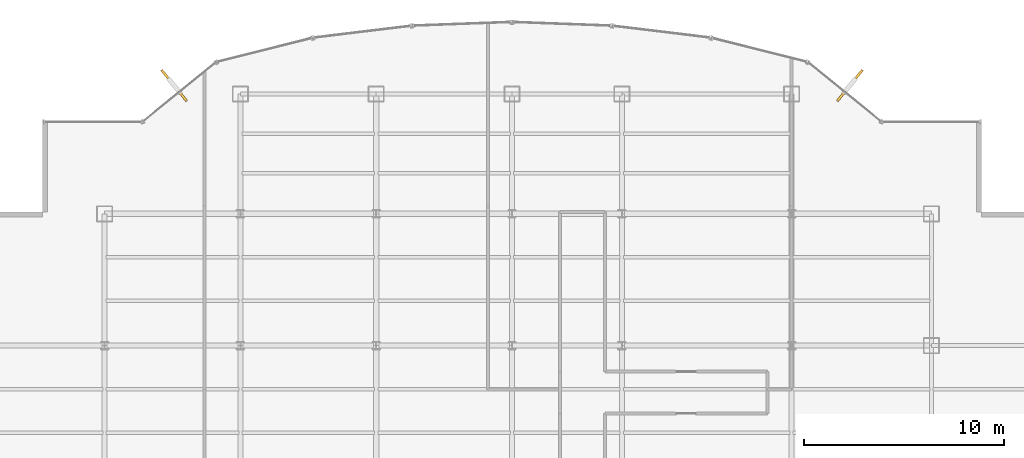
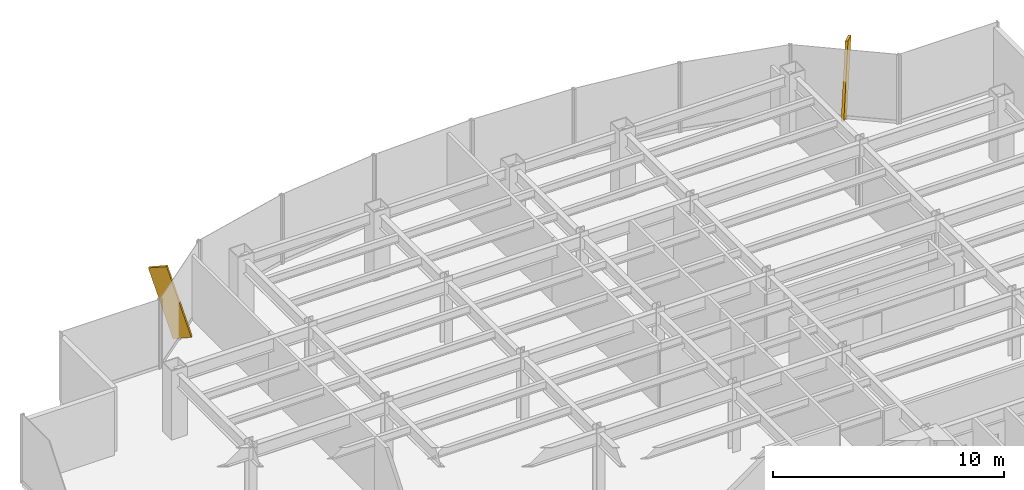
# One storey, part 25 of 26: 2 shading devices.
"""IFC4 building model written with IfcOpenShell, lengths in metres."""

from ifc_helpers import new_model, si_unit, derived_unit, direction, frame, origin, origin_2d, place, context, subcontext, project, spatial, rectangle, extrude, source, transform, mapped, material, type_object, element, save


model = new_model("IFC4")

# Units and contexts
model_context = context("Model", 3, precision=1e-05, world=origin(), true_north=direction((0.0, 1.0)))
body_context = subcontext(model_context, "Body", "Model", "MODEL_VIEW")
ifc_project = project(units=[si_unit("LENGTHUNIT", "METRE"), si_unit("AREAUNIT", "SQUARE_METRE"), si_unit("VOLUMEUNIT", "CUBIC_METRE"), si_unit("PLANEANGLEUNIT", "RADIAN"), si_unit("MASSUNIT", "GRAM", prefix="KILO"), derived_unit("THERMALTRANSMITTANCEUNIT", [(si_unit("POWERUNIT", "WATT"), 1), (si_unit("LENGTHUNIT", "METRE"), -2), (si_unit("THERMODYNAMICTEMPERATUREUNIT", "KELVIN"), -1)])], contexts=[model_context])

# Site, building, storey
site_placement = place(None, origin())
site = spatial("IfcSite", under=ifc_project, at=site_placement, CompositionType="ELEMENT")
building_placement = place(site_placement, origin())
building = spatial("IfcBuilding", under=site, at=building_placement, Name="Skarnbrae Concourse Arena and Tower", CompositionType="ELEMENT")
storey_placement = place(building_placement, frame((0.0, 0.0, 99.60009765625)))
storey = spatial("IfcBuildingStorey", under=building, at=storey_placement, Name="L24", CompositionType="ELEMENT", Elevation=99.60009765625)

# Shading devices
ifc_material = material(Name="Bronze anodised aluminium 6063-T6", Category="aluminium")
shading_device_type = type_object("IfcShadingDeviceType", Name="SHD-BRONZE-FIN-900", PredefinedType="USERDEFINED", material=ifc_material)
shared_shape = source(origin(), body_context, "Body", "SweptSolid", [
    extrude(rectangle(XDim=0.1201171875, YDim=0.89990234375, at=origin_2d()), origin(), (0.0, 0.0, 1.0), 3.64990234375),
])
for number, where, z_axis, x_axis, name in (
    (1, (44.55859375, 40.37841796875, 0.092529296875), (0.198264255826, 0.24412076913, 0.949260941439), (0.776244501415, -0.630431974144, 0.0), "L24 Outward-leaning bronze shading fin 08"),
    (2, (11.44140625, 40.37841796875, 0.092529296875), (-0.198264255826, 0.24412076913, 0.949260941439), (0.776244501415, 0.630431974144, 0.0), "L24 Outward-leaning bronze shading fin 15"),
):
    element("IfcShadingDevice", number, at=place(storey_placement, frame(where, z_axis=z_axis, x_axis=x_axis)), inside=storey, type_object=shading_device_type, Name=name, ObjectType="FIN", PredefinedType="USERDEFINED", context=body_context, shape_type="MappedRepresentation", body=[
        mapped(shared_shape, transform((0.0, 0.0, 0.0))),
    ])

save(model, "model.ifc")
